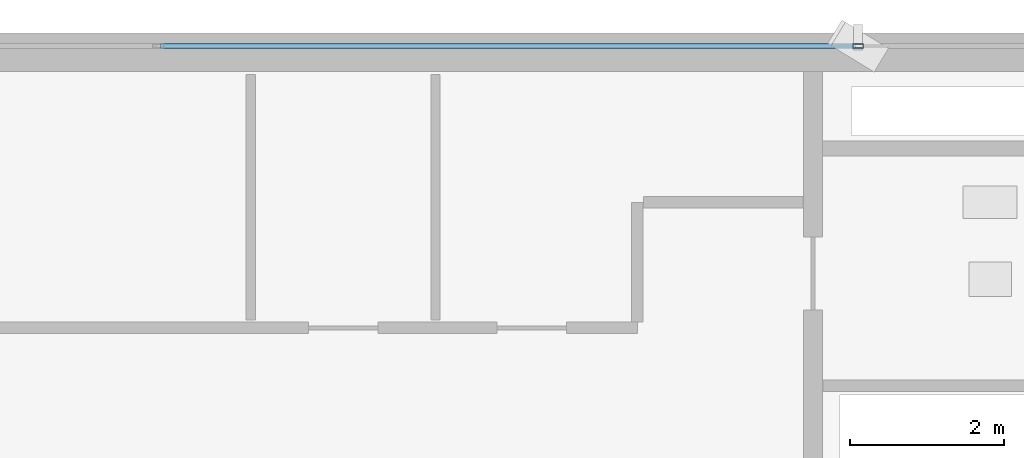
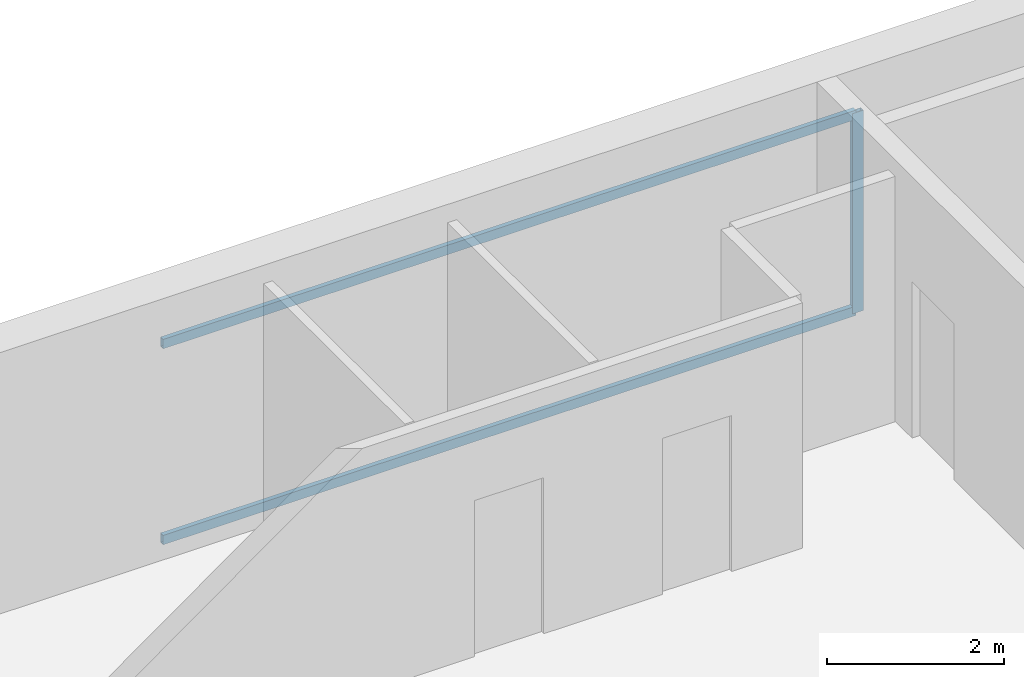
# One storey, part 22 of 31: 3 members, 1 element without a shape of its own.
"""IFC4 building model written with IfcOpenShell, lengths in metres."""

from ifc_helpers import new_model, si_unit, direction, frame, origin, origin_2d, place, context, subcontext, project, spatial, hollow_rectangle, extrude, source, transform, mapped, material, layer, layer_set, material_profile, profile_set, type_object, element, aggregate, save


model = new_model("IFC4")

# Units and contexts
model_context = context("Model", 3, precision=1e-05, world=origin(), true_north=direction((0.0, 1.0)))
body_context = subcontext(model_context, "Body", "Model", "MODEL_VIEW")
ifc_project = project(units=[si_unit("LENGTHUNIT", "METRE"), si_unit("AREAUNIT", "SQUARE_METRE"), si_unit("VOLUMEUNIT", "CUBIC_METRE"), si_unit("PLANEANGLEUNIT", "RADIAN"), si_unit("MASSUNIT", "GRAM", prefix="KILO")], contexts=[model_context])

# Site, building, storey
site_placement = place(None, origin())
site = spatial("IfcSite", under=ifc_project, at=site_placement, CompositionType="ELEMENT")
building_placement = place(site_placement, origin())
building = spatial("IfcBuilding", under=site, at=building_placement, Name="Sumidabori Civic Tower", CompositionType="ELEMENT")
storey_placement = place(building_placement, frame((0.0, 0.0, 221.60009765625)))
storey = spatial("IfcBuildingStorey", under=building, at=storey_placement, Name="L57", CompositionType="ELEMENT", Elevation=221.60009765625)

# Curtain wall, members
ifc_material = material(Name="Anodised Bronze Aluminium AW-6063-T6", Category="aluminium")
ifc_layer = layer(ifc_material, 0.179931640625, Name="Anodised Bronze Aluminium AW-6063-T6")
ifc_layer_set = layer_set([ifc_layer], Name="Anodised Bronze Aluminium AW-6063-T6")
curtain_wall_type = type_object("IfcCurtainWallType", Name="CW-SYS-5", PredefinedType="NOTDEFINED", material=ifc_layer_set)
curtain_wall_placement = place(storey_placement, origin())
curtain_wall = element("IfcCurtainWall", 1, at=curtain_wall_placement, inside=storey, type_object=curtain_wall_type, Name="Curtain Wall CW:L57:R19", PredefinedType="NOTDEFINED")
ifc_material_profile_1 = material_profile(ifc_material, hollow_rectangle(XDim=0.06005859375, YDim=0.139892578125, WallThickness=0.0048828125, at=origin_2d()), Name="ALU MULLION 140x60")
ifc_profile_set_1 = profile_set([ifc_material_profile_1], Name="Anodised Bronze Aluminium AW-6063-T6")
member_type_1 = type_object("IfcMemberType", Name="CW-MUL-140", PredefinedType="MULLION", material=ifc_profile_set_1)
shared_shape_1 = source(origin(), body_context, "Body", "SweptSolid", [
    extrude(hollow_rectangle(XDim=0.06005859375, YDim=0.139892578125, WallThickness=0.0048828125, at=origin_2d()), origin(), (0.0, 0.0, 1.0), 2.760009765625),
])
member_1_placement = place(storey_placement, frame((9.0849609375, 23.8798828125, 0.0), z_axis=(0.0, 0.0, 1.0), x_axis=(0.0, -1.0, 0.0)))
member_1 = element("IfcMember", 2, at=member_1_placement, type_object=member_type_1, Name="CW-5 mullion 2", PredefinedType="MULLION", context=body_context, shape_type="MappedRepresentation", body=[
    mapped(shared_shape_1, transform((0.0, 0.0, 0.0), x_axis=(1.0, 0.0, 0.0), y_axis=(0.0, 1.0, 0.0), z_axis=(0.0, 0.0, 1.0), scale=1.0)),
])
ifc_material_profile_2 = material_profile(ifc_material, hollow_rectangle(XDim=0.06005859375, YDim=0.1298828125, WallThickness=0.0048828125, at=origin_2d()), Name="ALU TRANSOM 130x60")
ifc_profile_set_2 = profile_set([ifc_material_profile_2], Name="Anodised Bronze Aluminium AW-6063-T6")
member_type_2 = type_object("IfcMemberType", Name="CW-TRN-130", PredefinedType="USERDEFINED", material=ifc_profile_set_2)
shared_shape_2 = source(origin(), body_context, "Body", "SweptSolid", [
    extrude(hollow_rectangle(XDim=0.06005859375, YDim=0.1298828125, WallThickness=0.0048828125, at=origin_2d()), origin(), (0.0, 0.0, 1.0), 9.02490234375),
])
member_2_placement = place(storey_placement, frame((9.054931640625, 23.8798828125, 0.02978515625), z_axis=(-1.0, 0.0, 0.0), x_axis=(0.0, -1.0, 0.0)))
member_2 = element("IfcMember", 3, at=member_2_placement, type_object=member_type_2, Name="CW-5 transom 2.1", ObjectType="TRANSOM", PredefinedType="USERDEFINED", context=body_context, shape_type="MappedRepresentation", body=[
    mapped(shared_shape_2, transform((0.0, 0.0, 0.0), x_axis=(1.0, 0.0, 0.0), y_axis=(0.0, 1.0, 0.0), z_axis=(0.0, 0.0, 1.0), scale=1.0)),
])
member_3_placement = place(storey_placement, frame((9.054931640625, 23.8798828125, 2.72998046875), z_axis=(-1.0, 0.0, 0.0), x_axis=(0.0, -1.0, 0.0)))
member_3 = element("IfcMember", 4, at=member_3_placement, type_object=member_type_2, Name="CW-5 transom 2.2", ObjectType="TRANSOM", PredefinedType="USERDEFINED", context=body_context, shape_type="MappedRepresentation", body=[
    mapped(shared_shape_2, transform((0.0, 0.0, 0.0), x_axis=(1.0, 0.0, 0.0), y_axis=(0.0, 1.0, 0.0), z_axis=(0.0, 0.0, 1.0), scale=1.0)),
])
aggregate(curtain_wall, [member_1, member_2, member_3])

save(model, "model.ifc")
